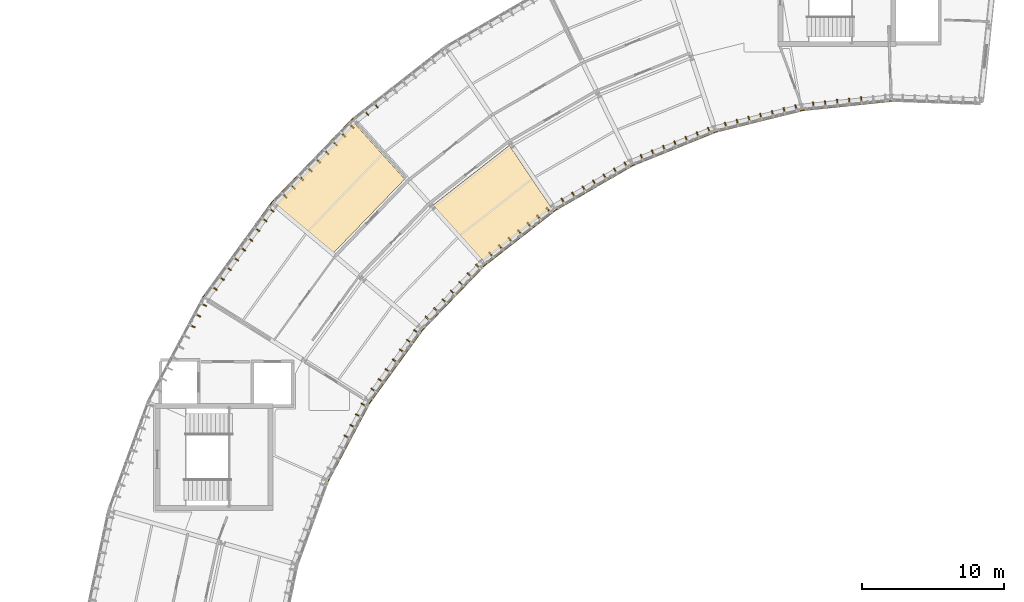
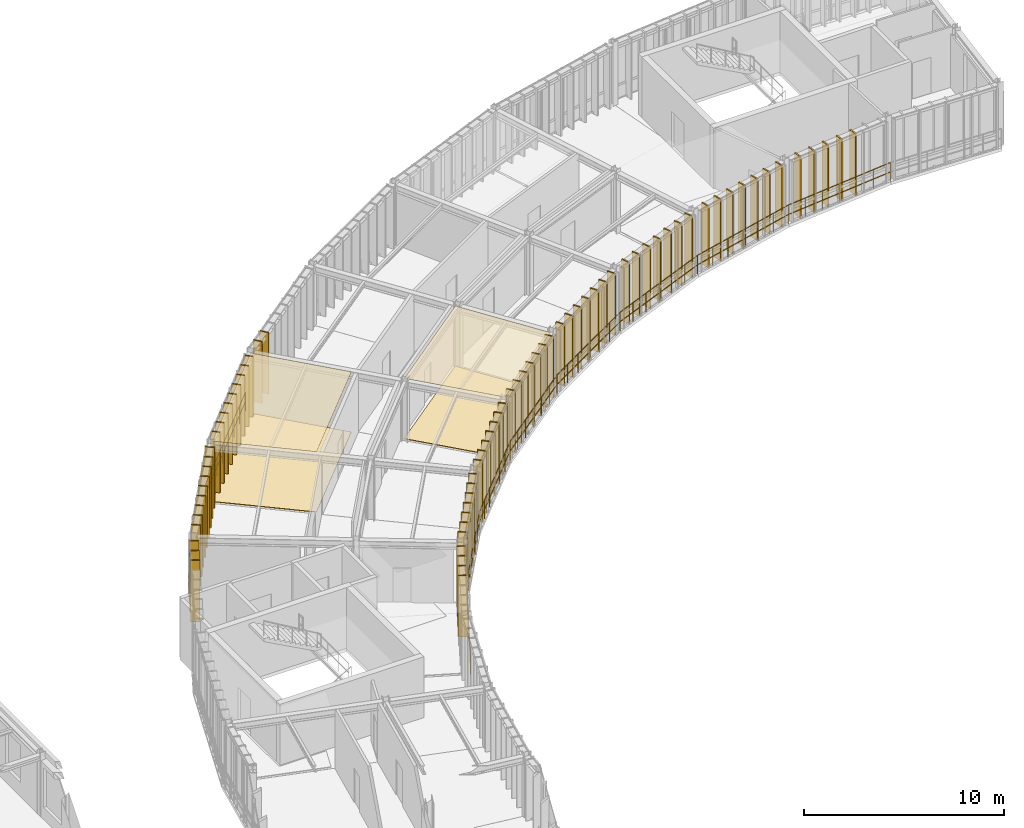
# One storey, part 38 of 41: 78 coverings, 10 railings.
"""IFC4 building model written with IfcOpenShell, lengths in metres."""

from ifc_helpers import new_model, si_unit, direction, frame, origin, origin_2d, place, context, subcontext, project, spatial, polyline, rectangle, circle, outline, extrude, material, layer, layer_set, type_object, element, save


model = new_model("IFC4")

# Units and contexts
model_context = context("Model", 3, precision=1e-05, world=origin(), true_north=direction((0.0, 1.0)))
body_context = subcontext(model_context, "Body", "Model", "MODEL_VIEW")
ifc_project = project(units=[si_unit("LENGTHUNIT", "METRE"), si_unit("AREAUNIT", "SQUARE_METRE"), si_unit("VOLUMEUNIT", "CUBIC_METRE"), si_unit("PLANEANGLEUNIT", "RADIAN"), si_unit("MASSUNIT", "GRAM", prefix="KILO"), si_unit("THERMODYNAMICTEMPERATUREUNIT", "KELVIN"), si_unit("POWERUNIT", "WATT")], contexts=[model_context])

# Site, building, storey
site_placement = place(None, origin())
site = spatial("IfcSite", under=ifc_project, at=site_placement, CompositionType="ELEMENT")
building_placement = place(site_placement, origin())
building = spatial("IfcBuilding", under=site, at=building_placement, Name="Solvatero Civic Police Headquarters", CompositionType="ELEMENT")
storey_placement = place(building_placement, frame((0.0, 0.0, 17.699951171875)))
storey = spatial("IfcBuildingStorey", under=building, at=storey_placement, Name="L04", CompositionType="ELEMENT", Elevation=17.699951171875)

# Coverings
ifc_material_1 = material(Name="Mineral-Fibre Acoustic Tile", Category="gypsum")
ifc_layer_1 = layer(ifc_material_1, 0.02490234375)
ifc_layer_set_1 = layer_set([ifc_layer_1], Name="Mineral-Fibre Acoustic Tile")
covering_type_1 = type_object("IfcCoveringType", Name="COV-CEIL-AC", PredefinedType="CEILING", material=ifc_layer_set_1)
covering_1_placement = place(storey_placement, frame((0.0, 0.0, 3.675048828125)))
element("IfcCovering", 1, at=covering_1_placement, inside=storey, type_object=covering_type_1, Name="Acoustic Ceiling Counter-Terrorism Liaison Suite Bay 6", PredefinedType="CEILING", context=body_context, shape_type="SweptSolid", body=[
    extrude(outline(polyline([(63.736083984375, 59.790771484375), (60.19677734375, 63.7216796875), (65.560791015625, 67.912353515625), (68.518798828125, 63.52734375), (63.736083984375, 59.790771484375)])), origin(), (0.0, 0.0, 1.0), 0.02490234375),
])
covering_2_placement = place(storey_placement, frame((0.0, 0.0, 3.675048828125)))
element("IfcCovering", 2, at=covering_2_placement, inside=storey, type_object=covering_type_1, Name="Acoustic Ceiling Regional Intelligence Fusion Desk Bay 7", PredefinedType="CEILING", context=body_context, shape_type="SweptSolid", body=[
    extrude(outline(polyline([(53.222412109375, 60.373046875), (49.170654296875, 63.77294921875), (54.671630859375, 69.469482421875), (58.2109375, 65.53857421875), (53.222412109375, 60.373046875)])), origin(), (0.0, 0.0, 1.0), 0.02490234375),
])
ifc_material_2 = material(Name="Anodized Bronze Aluminium", Category="aluminium")
ifc_layer_2 = layer(ifc_material_2, 0.080078125)
ifc_layer_set_2 = layer_set([ifc_layer_2], Name="Anodized Bronze Aluminium")
covering_type_2 = type_object("IfcCoveringType", Name="COV-FIN-480", PredefinedType="CLADDING", material=ifc_layer_set_2)
for number, where, z_axis, x_axis, name in (
    (3, (90.321044921875, 71.08251953125, -0.02001953125), (0.0, 0.0, 1.0), (-0.994521895368, -0.104528463268, 0.0), "Vertical Brise-Soleil Fin 0805"),
    (4, (89.4755859375, 70.99365234375, -0.02001953125), (0.0, 0.0, 1.0), (-0.994521895368, -0.104528463268, 0.0), "Vertical Brise-Soleil Fin 0806"),
    (5, (88.63037109375, 70.90478515625, -0.02001953125), (0.0, 0.0, 1.0), (-0.994521895368, -0.104528463268, 0.0), "Vertical Brise-Soleil Fin 0807"),
    (6, (87.784912109375, 70.81591796875, -0.02001953125), (0.0, 0.0, 1.0), (-0.994521895368, -0.104528463268, 0.0), "Vertical Brise-Soleil Fin 0808"),
    (7, (86.939697265625, 70.72705078125, -0.02001953125), (0.0, 0.0, 1.0), (-0.994521895368, -0.104528463268, 0.0), "Vertical Brise-Soleil Fin 0809"),
    (8, (85.73193359375, 70.54296875, -0.02001953125), (0.0, 0.0, 1.0), (-0.970295726276, -0.2419218956, 0.0), "Vertical Brise-Soleil Fin 0819"),
    (9, (84.9072265625, 70.33740234375, -0.02001953125), (0.0, 0.0, 1.0), (-0.970295726276, -0.2419218956, 0.0), "Vertical Brise-Soleil Fin 0820"),
    (10, (84.08251953125, 70.131591796875, -0.02001953125), (0.0, 0.0, 1.0), (-0.970295726276, -0.2419218956, 0.0), "Vertical Brise-Soleil Fin 0821"),
    (11, (83.2578125, 69.926025390625, -0.02001953125), (0.0, 0.0, 1.0), (-0.970295726276, -0.2419218956, 0.0), "Vertical Brise-Soleil Fin 0822"),
    (12, (82.43310546875, 69.720458984375, -0.02001953125), (0.0, 0.0, 1.0), (-0.970295726276, -0.2419218956, 0.0), "Vertical Brise-Soleil Fin 0823"),
    (13, (81.6083984375, 69.514892578125, -0.02001953125), (0.0, 0.0, 1.0), (-0.970295726276, -0.2419218956, 0.0), "Vertical Brise-Soleil Fin 0824"),
    (14, (80.783447265625, 69.30908203125, -0.02001953125), (0.0, 0.0, 1.0), (-0.970295726276, -0.2419218956, 0.0), "Vertical Brise-Soleil Fin 0825"),
    (15, (79.61328125, 68.958740234375, -0.02001953125), (0.0, 0.0, 1.0), (-0.927183854567, -0.374606593416, 0.0), "Vertical Brise-Soleil Fin 0835"),
    (16, (78.8251953125, 68.640380859375, -0.02001953125), (0.0, 0.0, 1.0), (-0.927183854567, -0.374606593416, 0.0), "Vertical Brise-Soleil Fin 0836"),
    (17, (78.037109375, 68.322021484375, -0.02001953125), (0.0, 0.0, 1.0), (-0.927183854567, -0.374606593416, 0.0), "Vertical Brise-Soleil Fin 0837"),
    (18, (77.248779296875, 68.00341796875, -0.02001953125), (0.0, 0.0, 1.0), (-0.927183854567, -0.374606593416, 0.0), "Vertical Brise-Soleil Fin 0838"),
    (19, (76.460693359375, 67.68505859375, -0.02001953125), (0.0, 0.0, 1.0), (-0.927183854567, -0.374606593416, 0.0), "Vertical Brise-Soleil Fin 0839"),
    (20, (75.672607421875, 67.36669921875, -0.02001953125), (0.0, 0.0, 1.0), (-0.927183854567, -0.374606593416, 0.0), "Vertical Brise-Soleil Fin 0840"),
    (21, (74.884521484375, 67.04833984375, -0.02001953125), (0.0, 0.0, 1.0), (-0.927183854567, -0.374606593416, 0.0), "Vertical Brise-Soleil Fin 0841"),
    (22, (73.765869140625, 66.53369140625, -0.02001953125), (0.0, 0.0, 1.0), (-0.866025403784, -0.5, 0.0), "Vertical Brise-Soleil Fin 0851"),
    (23, (73.02978515625, 66.108642578125, -0.02001953125), (0.0, 0.0, 1.0), (-0.866025403784, -0.5, 0.0), "Vertical Brise-Soleil Fin 0852"),
    (24, (72.293701171875, 65.68359375, -0.02001953125), (0.0, 0.0, 1.0), (-0.866025403784, -0.5, 0.0), "Vertical Brise-Soleil Fin 0853"),
    (25, (71.5576171875, 65.258544921875, -0.02001953125), (0.0, 0.0, 1.0), (-0.866025403784, -0.5, 0.0), "Vertical Brise-Soleil Fin 0854"),
    (26, (70.8212890625, 64.83349609375, -0.02001953125), (0.0, 0.0, 1.0), (-0.866025403784, -0.5, 0.0), "Vertical Brise-Soleil Fin 0855"),
    (27, (70.085205078125, 64.40869140625, -0.02001953125), (0.0, 0.0, 1.0), (-0.866025403784, -0.5, 0.0), "Vertical Brise-Soleil Fin 0856"),
    (28, (69.34912109375, 63.983642578125, -0.02001953125), (0.0, 0.0, 1.0), (-0.866025403784, -0.5, 0.0), "Vertical Brise-Soleil Fin 0857"),
    (29, (56.1796875, 70.722900390625, -0.02001953125), (0.0, 0.0, 1.0), (-0.788010753607, -0.615661475326, 0.0), "Vertical Brise-Soleil Fin 0865"),
    (30, (55.509765625, 70.199462890625, -0.02001953125), (0.0, 0.0, 1.0), (-0.788010753607, -0.615661475326, 0.0), "Vertical Brise-Soleil Fin 0866"),
    (31, (68.32958984375, 63.3291015625, -0.02001953125), (0.0, 0.0, 1.0), (-0.788010753607, -0.615661475326, 0.0), "Vertical Brise-Soleil Fin 0867"),
    (32, (67.65966796875, 62.805908203125, -0.02001953125), (0.0, 0.0, 1.0), (-0.788010753607, -0.615661475326, 0.0), "Vertical Brise-Soleil Fin 0868"),
    (33, (66.989990234375, 62.282470703125, -0.02001953125), (0.0, 0.0, 1.0), (-0.788010753607, -0.615661475326, 0.0), "Vertical Brise-Soleil Fin 0869"),
    (34, (66.320068359375, 61.75927734375, -0.02001953125), (0.0, 0.0, 1.0), (-0.788010753607, -0.615661475326, 0.0), "Vertical Brise-Soleil Fin 0870"),
    (35, (65.650390625, 61.23583984375, -0.02001953125), (0.0, 0.0, 1.0), (-0.788010753607, -0.615661475326, 0.0), "Vertical Brise-Soleil Fin 0871"),
    (36, (64.98046875, 60.712646484375, -0.02001953125), (0.0, 0.0, 1.0), (-0.788010753607, -0.615661475326, 0.0), "Vertical Brise-Soleil Fin 0872"),
    (37, (64.310791015625, 60.189208984375, -0.02001953125), (0.0, 0.0, 1.0), (-0.788010753607, -0.615661475326, 0.0), "Vertical Brise-Soleil Fin 0873"),
    (38, (54.44970703125, 69.296875, -0.02001953125), (0.0, 0.0, 1.0), (-0.694645815505, -0.719351924305, 0.0), "Vertical Brise-Soleil Fin 0874"),
    (39, (53.859375, 68.685302734375, -0.02001953125), (0.0, 0.0, 1.0), (-0.694645815505, -0.719351924305, 0.0), "Vertical Brise-Soleil Fin 0875"),
    (40, (53.268798828125, 68.073974609375, -0.02001953125), (0.0, 0.0, 1.0), (-0.694645815505, -0.719351924305, 0.0), "Vertical Brise-Soleil Fin 0876"),
    (41, (52.678466796875, 67.46240234375, -0.02001953125), (0.0, 0.0, 1.0), (-0.694645815505, -0.719351924305, 0.0), "Vertical Brise-Soleil Fin 0877"),
    (42, (52.087890625, 66.85107421875, -0.02001953125), (0.0, 0.0, 1.0), (-0.694645815505, -0.719351924305, 0.0), "Vertical Brise-Soleil Fin 0878"),
    (43, (51.497314453125, 66.239501953125, -0.02001953125), (0.0, 0.0, 1.0), (-0.694645815505, -0.719351924305, 0.0), "Vertical Brise-Soleil Fin 0879"),
    (44, (50.906982421875, 65.628173828125, -0.02001953125), (0.0, 0.0, 1.0), (-0.694645815505, -0.719351924305, 0.0), "Vertical Brise-Soleil Fin 0880"),
    (45, (50.31640625, 65.016845703125, -0.02001953125), (0.0, 0.0, 1.0), (-0.694645815505, -0.719351924305, 0.0), "Vertical Brise-Soleil Fin 0881"),
    (46, (49.72607421875, 64.4052734375, -0.02001953125), (0.0, 0.0, 1.0), (-0.694645815505, -0.719351924305, 0.0), "Vertical Brise-Soleil Fin 0882"),
    (47, (63.377197265625, 59.385986328125, -0.02001953125), (0.0, 0.0, 1.0), (-0.694658370459, -0.719339800339, 0.0), "Vertical Brise-Soleil Fin 0883"),
    (48, (62.78662109375, 58.774658203125, -0.02001953125), (0.0, 0.0, 1.0), (-0.694658370459, -0.719339800339, 0.0), "Vertical Brise-Soleil Fin 0884"),
    (49, (62.1962890625, 58.1630859375, -0.02001953125), (0.0, 0.0, 1.0), (-0.694658370459, -0.719339800339, 0.0), "Vertical Brise-Soleil Fin 0885"),
    (50, (61.605712890625, 57.5517578125, -0.02001953125), (0.0, 0.0, 1.0), (-0.694658370459, -0.719339800339, 0.0), "Vertical Brise-Soleil Fin 0886"),
    (51, (61.015380859375, 56.940185546875, -0.02001953125), (0.0, 0.0, 1.0), (-0.694658370459, -0.719339800339, 0.0), "Vertical Brise-Soleil Fin 0887"),
    (52, (60.4248046875, 56.328857421875, -0.02001953125), (0.0, 0.0, 1.0), (-0.694658370459, -0.719339800339, 0.0), "Vertical Brise-Soleil Fin 0888"),
    (53, (59.83447265625, 55.71728515625, -0.02001953125), (0.0, 0.0, 1.0), (-0.694658370459, -0.719339800339, 0.0), "Vertical Brise-Soleil Fin 0889"),
    (54, (48.814697265625, 63.37939453125, -0.02001953125), (0.0, 0.0, 1.0), (-0.587785252292, -0.809016994375, 0.0), "Vertical Brise-Soleil Fin 0890"),
    (55, (48.315185546875, 62.691650390625, -0.02001953125), (0.0, 0.0, 1.0), (-0.587785252292, -0.809016994375, 0.0), "Vertical Brise-Soleil Fin 0891"),
    (56, (47.815673828125, 62.00390625, -0.02001953125), (0.0, 0.0, 1.0), (-0.587785252292, -0.809016994375, 0.0), "Vertical Brise-Soleil Fin 0892"),
    (57, (47.31591796875, 61.31640625, -0.02001953125), (0.0, 0.0, 1.0), (-0.587785252292, -0.809016994375, 0.0), "Vertical Brise-Soleil Fin 0893"),
    (58, (46.81640625, 60.628662109375, -0.02001953125), (0.0, 0.0, 1.0), (-0.587785252292, -0.809016994375, 0.0), "Vertical Brise-Soleil Fin 0894"),
    (59, (46.316650390625, 59.94091796875, -0.02001953125), (0.0, 0.0, 1.0), (-0.587785252292, -0.809016994375, 0.0), "Vertical Brise-Soleil Fin 0895"),
    (60, (45.817138671875, 59.25341796875, -0.02001953125), (0.0, 0.0, 1.0), (-0.587785252292, -0.809016994375, 0.0), "Vertical Brise-Soleil Fin 0896"),
    (61, (45.3173828125, 58.565673828125, -0.02001953125), (0.0, 0.0, 1.0), (-0.587785252292, -0.809016994375, 0.0), "Vertical Brise-Soleil Fin 0897"),
    (62, (44.81787109375, 57.8779296875, -0.02001953125), (0.0, 0.0, 1.0), (-0.587785252292, -0.809016994375, 0.0), "Vertical Brise-Soleil Fin 0898"),
    (63, (59.03466796875, 54.807373046875, -0.02001953125), (0.0, 0.0, 1.0), (-0.587799372213, -0.809006735464, 0.0), "Vertical Brise-Soleil Fin 0899"),
    (64, (58.534912109375, 54.11962890625, -0.02001953125), (0.0, 0.0, 1.0), (-0.587799372213, -0.809006735464, 0.0), "Vertical Brise-Soleil Fin 0900"),
    (65, (58.035400390625, 53.431884765625, -0.02001953125), (0.0, 0.0, 1.0), (-0.587799372213, -0.809006735464, 0.0), "Vertical Brise-Soleil Fin 0901"),
    (66, (57.535888671875, 52.744384765625, -0.02001953125), (0.0, 0.0, 1.0), (-0.587799372213, -0.809006735464, 0.0), "Vertical Brise-Soleil Fin 0902"),
    (67, (57.0361328125, 52.056640625, -0.02001953125), (0.0, 0.0, 1.0), (-0.587799372213, -0.809006735464, 0.0), "Vertical Brise-Soleil Fin 0903"),
    (68, (56.53662109375, 51.368896484375, -0.02001953125), (0.0, 0.0, 1.0), (-0.587799372213, -0.809006735464, 0.0), "Vertical Brise-Soleil Fin 0904"),
    (69, (56.036865234375, 50.681396484375, -0.02001953125), (0.0, 0.0, 1.0), (-0.587799372213, -0.809006735464, 0.0), "Vertical Brise-Soleil Fin 0905"),
    (70, (44.047607421875, 56.718017578125, -0.02001953125), (0.0, 0.0, 1.0), (-0.469486973057, -0.8829393989, 0.0), "Vertical Brise-Soleil Fin 0906"),
    (71, (43.648681640625, 55.967529296875, -0.02001953125), (0.0, 0.0, 1.0), (-0.469486973057, -0.8829393989, 0.0), "Vertical Brise-Soleil Fin 0907"),
    (72, (43.24951171875, 55.217041015625, -0.02001953125), (0.0, 0.0, 1.0), (-0.469486973057, -0.8829393989, 0.0), "Vertical Brise-Soleil Fin 0908"),
    (73, (55.361083984375, 49.65185546875, -0.02001953125), (0.0, 0.0, 1.0), (-0.469486973057, -0.8829393989, 0.0), "Vertical Brise-Soleil Fin 0915"),
    (74, (54.9619140625, 48.9013671875, -0.02001953125), (0.0, 0.0, 1.0), (-0.469486973057, -0.8829393989, 0.0), "Vertical Brise-Soleil Fin 0916"),
    (75, (54.56298828125, 48.15087890625, -0.02001953125), (0.0, 0.0, 1.0), (-0.469486973057, -0.8829393989, 0.0), "Vertical Brise-Soleil Fin 0917"),
    (76, (54.163818359375, 47.400390625, -0.02001953125), (0.0, 0.0, 1.0), (-0.469486973057, -0.8829393989, 0.0), "Vertical Brise-Soleil Fin 0918"),
):
    element("IfcCovering", number, at=place(storey_placement, frame(where, z_axis=z_axis, x_axis=x_axis)), inside=storey, type_object=covering_type_2, Name=name, PredefinedType="CLADDING", context=body_context, shape_type="SweptSolid", body=[
        extrude(rectangle(XDim=0.080078125, YDim=0.47998046875, at=origin_2d()), origin(), (0.0, 0.0, 1.0), 3.739990234375),
    ])
ifc_material_3 = material(Name="Venetian Terrazzo Stone", Category="masonry")
ifc_layer_3 = layer(ifc_material_3, 0.034912109375)
ifc_layer_set_3 = layer_set([ifc_layer_3], Name="Venetian Terrazzo Stone")
covering_type_3 = type_object("IfcCoveringType", Name="COV-FLR-TER", PredefinedType="FLOORING", material=ifc_layer_set_3)
covering_3_placement = place(storey_placement, origin())
element("IfcCovering", 77, at=covering_3_placement, inside=storey, type_object=covering_type_3, Name="Flooring Counter-Terrorism Liaison Suite Bay 6", PredefinedType="FLOORING", context=body_context, shape_type="SweptSolid", body=[
    extrude(outline(polyline([(63.736083984375, 59.790771484375), (60.19677734375, 63.7216796875), (65.560791015625, 67.912353515625), (68.518798828125, 63.52734375), (63.736083984375, 59.790771484375)])), origin(), (0.0, 0.0, 1.0), 0.03515625),
])
covering_4_placement = place(storey_placement, origin())
element("IfcCovering", 78, at=covering_4_placement, inside=storey, type_object=covering_type_3, Name="Flooring Regional Intelligence Fusion Desk Bay 7", PredefinedType="FLOORING", context=body_context, shape_type="SweptSolid", body=[
    extrude(outline(polyline([(53.222412109375, 60.373046875), (49.170654296875, 63.77294921875), (54.671630859375, 69.469482421875), (58.2109375, 65.53857421875), (53.222412109375, 60.373046875)])), origin(), (0.0, 0.0, 1.0), 0.03515625),
])

# Railings
ifc_material_4 = material(Name="Anodized Bronze and Laminated Glass", Category="glass")
railing_type = type_object("IfcRailingType", Name="RL-BAL-115", PredefinedType="BALUSTRADE", material=ifc_material_4)
railing_1_placement = place(storey_placement, frame((92.427490234375, 71.03271484375, 0.0)))
element("IfcRailing", 79, at=railing_1_placement, inside=storey, type_object=railing_type, Name="Glazed Facade Sill Balustrade RL-L04-ARCIN-B02", PredefinedType="BALUSTRADE", context=body_context, shape_type="SweptSolid", body=[
    extrude(circle(Radius=0.02392578125, at=origin_2d()), frame((0.0, 0.0, 1.1259765625), z_axis=(-0.994520338393, -0.104543275839, 0.0), x_axis=(0.104543275839, -0.994520338393, 0.0)), (0.0, 0.0, 1.0), 6.28662109375),
    extrude(circle(Radius=0.02392578125, at=origin_2d()), frame((0.0, 0.0, 0.55078125), z_axis=(-0.994520338393, -0.104543275839, 0.0), x_axis=(0.104543275839, -0.994520338393, 0.0)), (0.0, 0.0, 1.0), 6.28662109375),
    extrude(circle(Radius=0.02099609375, at=origin_2d()), origin(), (0.0, 0.0, 1.0), 1.101806640625),
    extrude(circle(Radius=0.02099609375, at=origin_2d()), frame((-1.0419921875, -0.109619140625, 0.0)), (0.0, 0.0, 1.0), 1.101806640625),
    extrude(circle(Radius=0.02099609375, at=origin_2d()), frame((-2.083984375, -0.218994140625, 0.0)), (0.0, 0.0, 1.0), 1.101806640625),
    extrude(circle(Radius=0.02099609375, at=origin_2d()), frame((-3.1259765625, -0.32861328125, 0.0)), (0.0, 0.0, 1.0), 1.101806640625),
    extrude(circle(Radius=0.02099609375, at=origin_2d()), frame((-4.168212890625, -0.438232421875, 0.0)), (0.0, 0.0, 1.0), 1.101806640625),
    extrude(circle(Radius=0.02099609375, at=origin_2d()), frame((-5.210205078125, -0.547607421875, 0.0)), (0.0, 0.0, 1.0), 1.101806640625),
    extrude(circle(Radius=0.02099609375, at=origin_2d()), frame((-6.252197265625, -0.6572265625, 0.0)), (0.0, 0.0, 1.0), 1.101806640625),
])
railing_2_placement = place(storey_placement, frame((86.17529296875, 70.37548828125, 0.0)))
element("IfcRailing", 80, at=railing_2_placement, inside=storey, type_object=railing_type, Name="Glazed Facade Sill Balustrade RL-L04-ARCIN-B03", PredefinedType="BALUSTRADE", context=body_context, shape_type="SweptSolid", body=[
    extrude(circle(Radius=0.02392578125, at=origin_2d()), frame((0.0, 0.0, 1.1259765625), z_axis=(-0.970288531479, -0.241950750525, 0.0), x_axis=(0.241950750525, -0.970288531479, 0.0)), (0.0, 0.0, 1.0), 6.286376953125),
    extrude(circle(Radius=0.02392578125, at=origin_2d()), frame((0.0, 0.0, 0.55078125), z_axis=(-0.970288531479, -0.241950750525, 0.0), x_axis=(0.241950750525, -0.970288531479, 0.0)), (0.0, 0.0, 1.0), 6.286376953125),
    extrude(circle(Radius=0.02099609375, at=origin_2d()), origin(), (0.0, 0.0, 1.0), 1.101806640625),
    extrude(circle(Radius=0.02099609375, at=origin_2d()), frame((-1.0166015625, -0.25341796875, 0.0)), (0.0, 0.0, 1.0), 1.101806640625),
    extrude(circle(Radius=0.02099609375, at=origin_2d()), frame((-2.033203125, -0.507080078125, 0.0)), (0.0, 0.0, 1.0), 1.101806640625),
    extrude(circle(Radius=0.02099609375, at=origin_2d()), frame((-3.0498046875, -0.760498046875, 0.0)), (0.0, 0.0, 1.0), 1.101806640625),
    extrude(circle(Radius=0.02099609375, at=origin_2d()), frame((-4.06640625, -1.013916015625, 0.0)), (0.0, 0.0, 1.0), 1.101806640625),
    extrude(circle(Radius=0.02099609375, at=origin_2d()), frame((-5.0830078125, -1.267578125, 0.0)), (0.0, 0.0, 1.0), 1.101806640625),
    extrude(circle(Radius=0.02099609375, at=origin_2d()), frame((-6.099609375, -1.52099609375, 0.0)), (0.0, 0.0, 1.0), 1.101806640625),
])
railing_3_placement = place(storey_placement, frame((80.07568359375, 68.8544921875, 0.0)))
element("IfcRailing", 81, at=railing_3_placement, inside=storey, type_object=railing_type, Name="Glazed Facade Sill Balustrade RL-L04-ARCIN-B04", PredefinedType="BALUSTRADE", context=body_context, shape_type="SweptSolid", body=[
    extrude(circle(Radius=0.02392578125, at=origin_2d()), frame((0.0, 0.0, 1.1259765625), z_axis=(-0.927193595022, -0.374582484041, 0.0), x_axis=(0.374582484041, -0.927193595022, 0.0)), (0.0, 0.0, 1.0), 6.286376953125),
    extrude(circle(Radius=0.02392578125, at=origin_2d()), frame((0.0, 0.0, 0.55078125), z_axis=(-0.927193595022, -0.374582484041, 0.0), x_axis=(0.374582484041, -0.927193595022, 0.0)), (0.0, 0.0, 1.0), 6.286376953125),
    extrude(circle(Radius=0.02099609375, at=origin_2d()), origin(), (0.0, 0.0, 1.0), 1.101806640625),
    extrude(circle(Radius=0.02099609375, at=origin_2d()), frame((-0.971435546875, -0.392578125, 0.0)), (0.0, 0.0, 1.0), 1.101806640625),
    extrude(circle(Radius=0.02099609375, at=origin_2d()), frame((-1.94287109375, -0.784912109375, 0.0)), (0.0, 0.0, 1.0), 1.101806640625),
    extrude(circle(Radius=0.02099609375, at=origin_2d()), frame((-2.914306640625, -1.17724609375, 0.0)), (0.0, 0.0, 1.0), 1.101806640625),
    extrude(circle(Radius=0.02099609375, at=origin_2d()), frame((-3.8857421875, -1.56982421875, 0.0)), (0.0, 0.0, 1.0), 1.101806640625),
    extrude(circle(Radius=0.02099609375, at=origin_2d()), frame((-4.857177734375, -1.96240234375, 0.0)), (0.0, 0.0, 1.0), 1.101806640625),
    extrude(circle(Radius=0.02099609375, at=origin_2d()), frame((-5.82861328125, -2.354736328125, 0.0)), (0.0, 0.0, 1.0), 1.101806640625),
])
railing_4_placement = place(storey_placement, frame((74.2470703125, 66.499755859375, 0.0)))
element("IfcRailing", 82, at=railing_4_placement, inside=storey, type_object=railing_type, Name="Glazed Facade Sill Balustrade RL-L04-ARCIN-B05", PredefinedType="BALUSTRADE", context=body_context, shape_type="SweptSolid", body=[
    extrude(circle(Radius=0.02392578125, at=origin_2d()), frame((0.0, 0.0, 1.1259765625), z_axis=(-0.866023907196, -0.500002592159, 0.0), x_axis=(0.500002592159, -0.866023907196, 0.0)), (0.0, 0.0, 1.0), 6.28662109375),
    extrude(circle(Radius=0.02392578125, at=origin_2d()), frame((0.0, 0.0, 0.55078125), z_axis=(-0.866023907196, -0.500002592159, 0.0), x_axis=(0.500002592159, -0.866023907196, 0.0)), (0.0, 0.0, 1.0), 6.28662109375),
    extrude(circle(Radius=0.02099609375, at=origin_2d()), origin(), (0.0, 0.0, 1.0), 1.101806640625),
    extrude(circle(Radius=0.02099609375, at=origin_2d()), frame((-0.907470703125, -0.52392578125, 0.0)), (0.0, 0.0, 1.0), 1.101806640625),
    extrude(circle(Radius=0.02099609375, at=origin_2d()), frame((-1.814697265625, -1.0478515625, 0.0)), (0.0, 0.0, 1.0), 1.101806640625),
    extrude(circle(Radius=0.02099609375, at=origin_2d()), frame((-2.72216796875, -1.57177734375, 0.0)), (0.0, 0.0, 1.0), 1.101806640625),
    extrude(circle(Radius=0.02099609375, at=origin_2d()), frame((-3.629638671875, -2.095458984375, 0.0)), (0.0, 0.0, 1.0), 1.101806640625),
    extrude(circle(Radius=0.02099609375, at=origin_2d()), frame((-4.536865234375, -2.619384765625, 0.0)), (0.0, 0.0, 1.0), 1.101806640625),
    extrude(circle(Radius=0.02099609375, at=origin_2d()), frame((-5.4443359375, -3.143310546875, 0.0)), (0.0, 0.0, 1.0), 1.101806640625),
])
railing_5_placement = place(storey_placement, frame((68.802734375, 63.3564453125, 0.0)))
element("IfcRailing", 83, at=railing_5_placement, inside=storey, type_object=railing_type, Name="Glazed Facade Sill Balustrade RL-L04-ARCIN-B06", PredefinedType="BALUSTRADE", context=body_context, shape_type="SweptSolid", body=[
    extrude(circle(Radius=0.02392578125, at=origin_2d()), frame((0.0, 0.0, 1.1259765625), z_axis=(-0.787997288522, -0.61567870946, 0.0), x_axis=(0.61567870946, -0.787997288522, 0.0)), (0.0, 0.0, 1.0), 6.286376953125),
    extrude(circle(Radius=0.02392578125, at=origin_2d()), frame((0.0, 0.0, 0.55078125), z_axis=(-0.787997288522, -0.61567870946, 0.0), x_axis=(0.61567870946, -0.787997288522, 0.0)), (0.0, 0.0, 1.0), 6.286376953125),
    extrude(circle(Radius=0.02099609375, at=origin_2d()), origin(), (0.0, 0.0, 1.0), 1.101806640625),
    extrude(circle(Radius=0.02099609375, at=origin_2d()), frame((-0.82568359375, -0.64501953125, 0.0)), (0.0, 0.0, 1.0), 1.101806640625),
    extrude(circle(Radius=0.02099609375, at=origin_2d()), frame((-1.651123046875, -1.2900390625, 0.0)), (0.0, 0.0, 1.0), 1.101806640625),
    extrude(circle(Radius=0.02099609375, at=origin_2d()), frame((-2.476806640625, -1.93505859375, 0.0)), (0.0, 0.0, 1.0), 1.101806640625),
    extrude(circle(Radius=0.02099609375, at=origin_2d()), frame((-3.302490234375, -2.580322265625, 0.0)), (0.0, 0.0, 1.0), 1.101806640625),
    extrude(circle(Radius=0.02099609375, at=origin_2d()), frame((-4.1279296875, -3.225341796875, 0.0)), (0.0, 0.0, 1.0), 1.101806640625),
    extrude(circle(Radius=0.02099609375, at=origin_2d()), frame((-4.95361328125, -3.870361328125, 0.0)), (0.0, 0.0, 1.0), 1.101806640625),
])
railing_6_placement = place(storey_placement, frame((63.84912109375, 59.486083984375, 0.0)))
element("IfcRailing", 84, at=railing_6_placement, inside=storey, type_object=railing_type, Name="Glazed Facade Sill Balustrade RL-L04-ARCIN-B07", PredefinedType="BALUSTRADE", context=body_context, shape_type="SweptSolid", body=[
    extrude(circle(Radius=0.02392578125, at=origin_2d()), frame((0.0, 0.0, 1.1259765625), z_axis=(-0.694688764394, -0.719310448016, 0.0), x_axis=(0.719310448016, -0.694688764394, 0.0)), (0.0, 0.0, 1.0), 6.28662109375),
    extrude(circle(Radius=0.02392578125, at=origin_2d()), frame((0.0, 0.0, 0.55078125), z_axis=(-0.694688764394, -0.719310448016, 0.0), x_axis=(0.719310448016, -0.694688764394, 0.0)), (0.0, 0.0, 1.0), 6.28662109375),
    extrude(circle(Radius=0.02099609375, at=origin_2d()), origin(), (0.0, 0.0, 1.0), 1.101806640625),
    extrude(circle(Radius=0.02099609375, at=origin_2d()), frame((-0.727783203125, -0.753662109375, 0.0)), (0.0, 0.0, 1.0), 1.101806640625),
    extrude(circle(Radius=0.02099609375, at=origin_2d()), frame((-1.455810546875, -1.50732421875, 0.0)), (0.0, 0.0, 1.0), 1.101806640625),
    extrude(circle(Radius=0.02099609375, at=origin_2d()), frame((-2.18359375, -2.260986328125, 0.0)), (0.0, 0.0, 1.0), 1.101806640625),
    extrude(circle(Radius=0.02099609375, at=origin_2d()), frame((-2.911376953125, -3.0146484375, 0.0)), (0.0, 0.0, 1.0), 1.101806640625),
    extrude(circle(Radius=0.02099609375, at=origin_2d()), frame((-3.639404296875, -3.768310546875, 0.0)), (0.0, 0.0, 1.0), 1.101806640625),
    extrude(circle(Radius=0.02099609375, at=origin_2d()), frame((-4.3671875, -4.52197265625, 0.0)), (0.0, 0.0, 1.0), 1.101806640625),
])
railing_7_placement = place(storey_placement, frame((54.561279296875, 69.801025390625, 0.0)))
element("IfcRailing", 85, at=railing_7_placement, inside=storey, type_object=railing_type, Name="Glazed Facade Sill Balustrade RL-L04-ARCOUT-B07", PredefinedType="BALUSTRADE", context=body_context, shape_type="SweptSolid", body=[
    extrude(circle(Radius=0.02392578125, at=origin_2d()), frame((0.0, 0.0, 1.1259765625), z_axis=(-0.694647498592, -0.71935029902, 0.0), x_axis=(0.71935029902, -0.694647498592, 0.0)), (0.0, 0.0, 1.0), 8.22265625),
    extrude(circle(Radius=0.02392578125, at=origin_2d()), frame((0.0, 0.0, 0.55078125), z_axis=(-0.694647498592, -0.71935029902, 0.0), x_axis=(0.71935029902, -0.694647498592, 0.0)), (0.0, 0.0, 1.0), 8.22265625),
    extrude(circle(Radius=0.02099609375, at=origin_2d()), origin(), (0.0, 0.0, 1.0), 1.101806640625),
    extrude(circle(Radius=0.02099609375, at=origin_2d()), frame((-0.81591796875, -0.844970703125, 0.0)), (0.0, 0.0, 1.0), 1.101806640625),
    extrude(circle(Radius=0.02099609375, at=origin_2d()), frame((-1.632080078125, -1.68994140625, 0.0)), (0.0, 0.0, 1.0), 1.101806640625),
    extrude(circle(Radius=0.02099609375, at=origin_2d()), frame((-2.447998046875, -2.534912109375, 0.0)), (0.0, 0.0, 1.0), 1.101806640625),
    extrude(circle(Radius=0.02099609375, at=origin_2d()), frame((-3.263916015625, -3.380126953125, 0.0)), (0.0, 0.0, 1.0), 1.101806640625),
    extrude(circle(Radius=0.02099609375, at=origin_2d()), frame((-4.079833984375, -4.22509765625, 0.0)), (0.0, 0.0, 1.0), 1.101806640625),
    extrude(circle(Radius=0.02099609375, at=origin_2d()), frame((-4.89599609375, -5.070068359375, 0.0)), (0.0, 0.0, 1.0), 1.101806640625),
    extrude(circle(Radius=0.02099609375, at=origin_2d()), frame((-5.7119140625, -5.9150390625, 0.0)), (0.0, 0.0, 1.0), 1.101806640625),
])
railing_8_placement = place(storey_placement, frame((59.48193359375, 54.964111328125, 0.0)))
element("IfcRailing", 86, at=railing_8_placement, inside=storey, type_object=railing_type, Name="Glazed Facade Sill Balustrade RL-L04-ARCIN-B08", PredefinedType="BALUSTRADE", context=body_context, shape_type="SweptSolid", body=[
    extrude(circle(Radius=0.02392578125, at=origin_2d()), frame((0.0, 0.0, 1.1259765625), z_axis=(-0.587751344524, -0.809041628725, 0.0), x_axis=(0.809041628725, -0.587751344524, 0.0)), (0.0, 0.0, 1.0), 6.286376953125),
    extrude(circle(Radius=0.02392578125, at=origin_2d()), frame((0.0, 0.0, 0.55078125), z_axis=(-0.587751344524, -0.809041628725, 0.0), x_axis=(0.809041628725, -0.587751344524, 0.0)), (0.0, 0.0, 1.0), 6.286376953125),
    extrude(circle(Radius=0.02099609375, at=origin_2d()), origin(), (0.0, 0.0, 1.0), 1.101806640625),
    extrude(circle(Radius=0.02099609375, at=origin_2d()), frame((-0.61572265625, -0.84765625, 0.0)), (0.0, 0.0, 1.0), 1.101806640625),
    extrude(circle(Radius=0.02099609375, at=origin_2d()), frame((-1.231689453125, -1.6953125, 0.0)), (0.0, 0.0, 1.0), 1.101806640625),
    extrude(circle(Radius=0.02099609375, at=origin_2d()), frame((-1.847412109375, -2.54296875, 0.0)), (0.0, 0.0, 1.0), 1.101806640625),
    extrude(circle(Radius=0.02099609375, at=origin_2d()), frame((-2.463134765625, -3.390625, 0.0)), (0.0, 0.0, 1.0), 1.101806640625),
    extrude(circle(Radius=0.02099609375, at=origin_2d()), frame((-3.0791015625, -4.23828125, 0.0)), (0.0, 0.0, 1.0), 1.101806640625),
    extrude(circle(Radius=0.02099609375, at=origin_2d()), frame((-3.69482421875, -5.0859375, 0.0)), (0.0, 0.0, 1.0), 1.101806640625),
])
railing_9_placement = place(storey_placement, frame((48.849365234375, 63.885986328125, 0.0)))
element("IfcRailing", 87, at=railing_9_placement, inside=storey, type_object=railing_type, Name="Glazed Facade Sill Balustrade RL-L04-ARCOUT-B08", PredefinedType="BALUSTRADE", context=body_context, shape_type="SweptSolid", body=[
    extrude(circle(Radius=0.02392578125, at=origin_2d()), frame((0.0, 0.0, 1.1259765625), z_axis=(-0.587774421673, -0.80902486317, 0.0), x_axis=(0.80902486317, -0.587774421673, 0.0)), (0.0, 0.0, 1.0), 8.222900390625),
    extrude(circle(Radius=0.02392578125, at=origin_2d()), frame((0.0, 0.0, 0.55078125), z_axis=(-0.587774421673, -0.80902486317, 0.0), x_axis=(0.80902486317, -0.587774421673, 0.0)), (0.0, 0.0, 1.0), 8.222900390625),
    extrude(circle(Radius=0.02099609375, at=origin_2d()), origin(), (0.0, 0.0, 1.0), 1.101806640625),
    extrude(circle(Radius=0.02099609375, at=origin_2d()), frame((-0.6904296875, -0.950439453125, 0.0)), (0.0, 0.0, 1.0), 1.101806640625),
    extrude(circle(Radius=0.02099609375, at=origin_2d()), frame((-1.380859375, -1.900634765625, 0.0)), (0.0, 0.0, 1.0), 1.101806640625),
    extrude(circle(Radius=0.02099609375, at=origin_2d()), frame((-2.0712890625, -2.85107421875, 0.0)), (0.0, 0.0, 1.0), 1.101806640625),
    extrude(circle(Radius=0.02099609375, at=origin_2d()), frame((-2.761962890625, -3.801513671875, 0.0)), (0.0, 0.0, 1.0), 1.101806640625),
    extrude(circle(Radius=0.02099609375, at=origin_2d()), frame((-3.452392578125, -4.751953125, 0.0)), (0.0, 0.0, 1.0), 1.101806640625),
    extrude(circle(Radius=0.02099609375, at=origin_2d()), frame((-4.142822265625, -5.7021484375, 0.0)), (0.0, 0.0, 1.0), 1.101806640625),
    extrude(circle(Radius=0.02099609375, at=origin_2d()), frame((-4.833251953125, -6.652587890625, 0.0)), (0.0, 0.0, 1.0), 1.101806640625),
])
railing_10_placement = place(storey_placement, frame((55.787109375, 49.878173828125, 0.0)))
element("IfcRailing", 88, at=railing_10_placement, inside=storey, type_object=railing_type, Name="Glazed Facade Sill Balustrade RL-L04-ARCIN-B09", PredefinedType="BALUSTRADE", context=body_context, shape_type="SweptSolid", body=[
    extrude(circle(Radius=0.02392578125, at=origin_2d()), frame((0.0, 0.0, 1.1259765625), z_axis=(-0.469489306855, -0.882938157941, 0.0), x_axis=(0.882938157941, -0.469489306855, 0.0)), (0.0, 0.0, 1.0), 6.286376953125),
    extrude(circle(Radius=0.02392578125, at=origin_2d()), frame((0.0, 0.0, 0.55078125), z_axis=(-0.469489306855, -0.882938157941, 0.0), x_axis=(0.882938157941, -0.469489306855, 0.0)), (0.0, 0.0, 1.0), 6.286376953125),
    extrude(circle(Radius=0.02099609375, at=origin_2d()), origin(), (0.0, 0.0, 1.0), 1.101806640625),
    extrude(circle(Radius=0.02099609375, at=origin_2d()), frame((-0.491943359375, -0.925048828125, 0.0)), (0.0, 0.0, 1.0), 1.101806640625),
    extrude(circle(Radius=0.02099609375, at=origin_2d()), frame((-0.98388671875, -1.85009765625, 0.0)), (0.0, 0.0, 1.0), 1.101806640625),
    extrude(circle(Radius=0.02099609375, at=origin_2d()), frame((-1.4755859375, -2.775390625, 0.0)), (0.0, 0.0, 1.0), 1.101806640625),
    extrude(circle(Radius=0.02099609375, at=origin_2d()), frame((-1.967529296875, -3.700439453125, 0.0)), (0.0, 0.0, 1.0), 1.101806640625),
    extrude(circle(Radius=0.02099609375, at=origin_2d()), frame((-2.45947265625, -4.62548828125, 0.0)), (0.0, 0.0, 1.0), 1.101806640625),
    extrude(circle(Radius=0.02099609375, at=origin_2d()), frame((-2.951416015625, -5.550537109375, 0.0)), (0.0, 0.0, 1.0), 1.101806640625),
])

save(model, "model.ifc")
